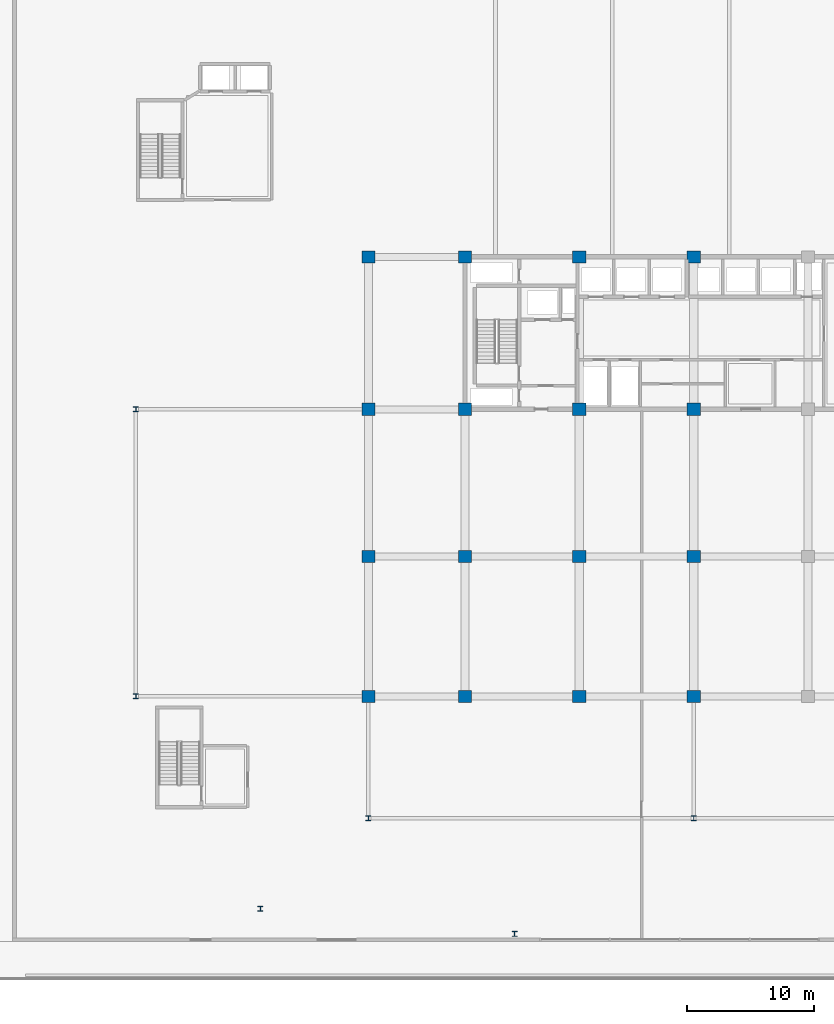
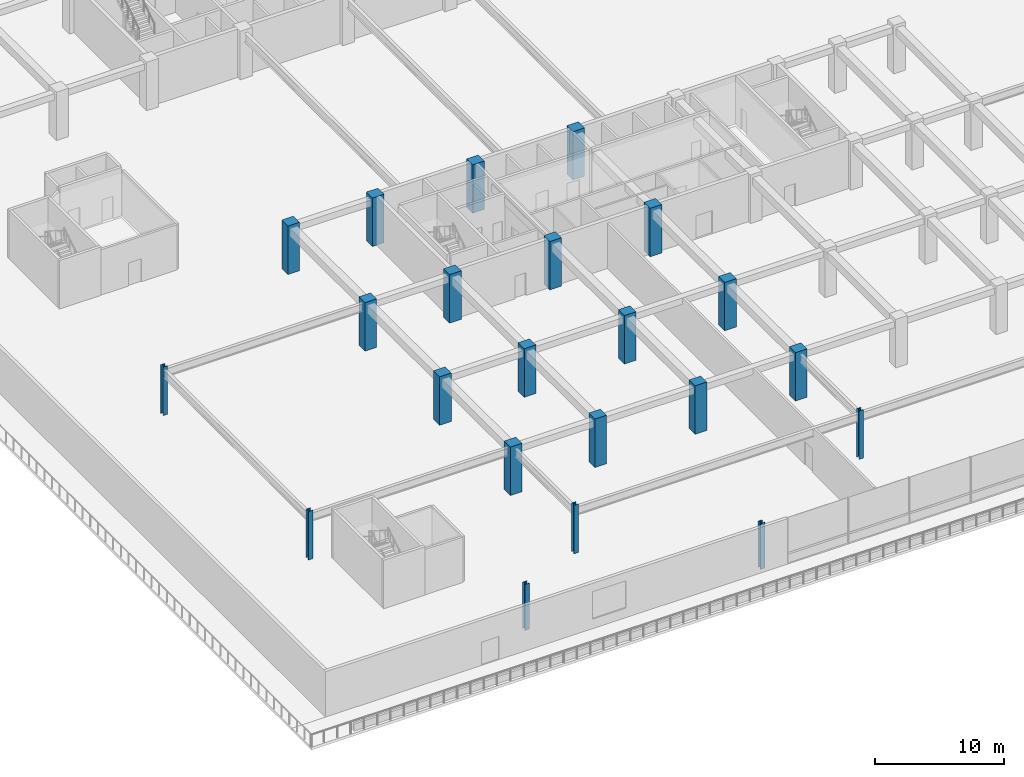
# One storey, part 1 of 45: 22 columns.
"""IFC4 building model written with IfcOpenShell, lengths in metres."""

from ifc_helpers import new_model, si_unit, direction, frame, origin, origin_2d, place, context, subcontext, project, spatial, rectangle, i_section, extrude, material, material_profile, profile_set, type_object, element, save


model = new_model("IFC4")

# Units and contexts
model_context = context("Model", 3, precision=1e-05, world=origin(), true_north=direction((0.0, 1.0)))
body_context = subcontext(model_context, "Body", "Model", "MODEL_VIEW")
ifc_project = project(units=[si_unit("LENGTHUNIT", "METRE"), si_unit("AREAUNIT", "SQUARE_METRE"), si_unit("VOLUMEUNIT", "CUBIC_METRE"), si_unit("PLANEANGLEUNIT", "RADIAN"), si_unit("MASSUNIT", "GRAM", prefix="KILO")], contexts=[model_context])

# Site, building, storey
site_placement = place(None, origin())
site = spatial("IfcSite", under=ifc_project, at=site_placement, CompositionType="ELEMENT")
building_placement = place(site_placement, origin())
building = spatial("IfcBuilding", under=site, at=building_placement, Name="Korimba Cascade Residences", CompositionType="ELEMENT")
storey_placement = place(building_placement, frame((0.0, 0.0, 5.39990234375)))
storey = spatial("IfcBuildingStorey", under=building, at=storey_placement, Name="L01", CompositionType="ELEMENT", Elevation=5.39990234375)

# Columns
ifc_material_1 = material(Name="Concrete C80/95", Category="concrete")
ifc_material_profile_1 = material_profile(ifc_material_1, rectangle(XDim=1.050048828125, YDim=0.949951171875, at=origin_2d()), Name="Concrete C80/95")
ifc_profile_set_1 = profile_set([ifc_material_profile_1], Name="Concrete C80/95")
column_type_1 = type_object("IfcColumnType", Name="COL-RC-1050", PredefinedType="COLUMN", material=ifc_profile_set_1)
for number, where, z_axis, x_axis, name in (
    (1, (74.5, -4.199951171875, 0.0), (0.0, 0.0, 1.0), (1.0, 0.0, 0.0), "L01 Tower 2 Column 1.1"),
    (2, (74.5, 6.800048828125, 0.0), (0.0, 0.0, 1.0), (1.0, 0.0, 0.0), "L01 Tower 2 Column 1.2"),
    (3, (74.5, 18.39990234375, 0.0), (0.0, 0.0, 1.0), (1.0, 0.0, 0.0), "L01 Tower 2 Column 1.3"),
    (4, (74.5, 30.39990234375, 0.0), (0.0, 0.0, 1.0), (1.0, 0.0, 0.0), "L01 Tower 2 Column 1.4"),
    (5, (82.10009765625, -4.199951171875, 0.0), (0.0, 0.0, 1.0), (1.0, 0.0, 0.0), "L01 Tower 2 Column 2.1"),
    (6, (82.10009765625, 6.800048828125, 0.0), (0.0, 0.0, 1.0), (1.0, 0.0, 0.0), "L01 Tower 2 Column 2.2"),
    (7, (82.10009765625, 18.39990234375, 0.0), (0.0, 0.0, 1.0), (1.0, 0.0, 0.0), "L01 Tower 2 Column 2.3"),
    (8, (82.10009765625, 30.39990234375, 0.0), (0.0, 0.0, 1.0), (1.0, 0.0, 0.0), "L01 Tower 2 Column 2.4"),
    (9, (91.10009765625, -4.199951171875, 0.0), (0.0, 0.0, 1.0), (1.0, 0.0, 0.0), "L01 Tower 2 Column 3.1"),
    (10, (91.10009765625, 6.800048828125, 0.0), (0.0, 0.0, 1.0), (1.0, 0.0, 0.0), "L01 Tower 2 Column 3.2"),
    (11, (91.10009765625, 18.39990234375, 0.0), (0.0, 0.0, 1.0), (1.0, 0.0, 0.0), "L01 Tower 2 Column 3.3"),
    (12, (91.10009765625, 30.39990234375, 0.0), (0.0, 0.0, 1.0), (1.0, 0.0, 0.0), "L01 Tower 2 Column 3.4"),
    (13, (100.10009765625, -4.199951171875, 0.0), (0.0, 0.0, 1.0), (1.0, 0.0, 0.0), "L01 Tower 2 Column 4.1"),
    (14, (100.10009765625, 6.800048828125, 0.0), (0.0, 0.0, 1.0), (1.0, 0.0, 0.0), "L01 Tower 2 Column 4.2"),
    (15, (100.10009765625, 18.39990234375, 0.0), (0.0, 0.0, 1.0), (1.0, 0.0, 0.0), "L01 Tower 2 Column 4.3"),
    (16, (100.10009765625, 30.39990234375, 0.0), (0.0, 0.0, 1.0), (1.0, 0.0, 0.0), "L01 Tower 2 Column 4.4"),
):
    element("IfcColumn", number, at=place(storey_placement, frame(where, z_axis=z_axis, x_axis=x_axis)), inside=storey, type_object=column_type_1, Name=name, PredefinedType="COLUMN", context=body_context, shape_type="SweptSolid", body=[
        extrude(rectangle(XDim=1.050048828125, YDim=0.949951171875, at=origin_2d()), origin(), (0.0, 0.0, 1.0), 4.60009765625),
    ])
ifc_material_2 = material(Name="Steel S355", Category="steel")
ifc_material_profile_2 = material_profile(ifc_material_2, i_section(OverallWidth=0.39892578125, OverallDepth=0.3935546875, WebThickness=0.022705078125, FlangeThickness=0.03662109375, FilletRadius=0.01513671875, at=origin_2d()), Name="Steel S355")
ifc_profile_set_2 = profile_set([ifc_material_profile_2], Name="Steel S355")
column_type_2 = type_object("IfcColumnType", Name="COL-STL-UC287", PredefinedType="COLUMN", material=ifc_profile_set_2)
for number, where, z_axis, x_axis, name in (
    (17, (56.199951171875, -4.199951171875, 0.0), (0.0, 0.0, 1.0), (1.0, 0.0, 0.0), "L01 Podium Column PCW1"),
    (18, (56.199951171875, 18.39990234375, 0.0), (0.0, 0.0, 1.0), (1.0, 0.0, 0.0), "L01 Podium Column PCW2"),
    (19, (74.5, -13.800048828125, 0.0), (0.0, 0.0, 1.0), (1.0, 0.0, 0.0), "L01 Podium Column PCS1"),
    (20, (100.10009765625, -13.800048828125, 0.0), (0.0, 0.0, 1.0), (1.0, 0.0, 0.0), "L01 Podium Column PCS2"),
):
    element("IfcColumn", number, at=place(storey_placement, frame(where, z_axis=z_axis, x_axis=x_axis)), inside=storey, type_object=column_type_2, Name=name, PredefinedType="COLUMN", context=body_context, shape_type="SweptSolid", body=[
        extrude(i_section(OverallWidth=0.39892578125, OverallDepth=0.3935546875, WebThickness=0.022705078125, FlangeThickness=0.03662109375, FilletRadius=0.01513671875, at=origin_2d()), origin(), (0.0, 0.0, 1.0), 4.60009765625),
    ])
for number, where, z_axis, x_axis, name in (
    (21, (86.0, -22.89990234375, 0.0), (0.0, 0.0, 1.0), (1.0, 0.0, 0.0), "L01 Podium Column PTS1"),
    (22, (66.0, -20.89990234375, 0.0), (0.0, 0.0, 1.0), (1.0, 0.0, 0.0), "L01 Podium Column PTS3"),
):
    element("IfcColumn", number, at=place(storey_placement, frame(where, z_axis=z_axis, x_axis=x_axis)), inside=storey, type_object=column_type_2, Name=name, PredefinedType="COLUMN", context=body_context, shape_type="SweptSolid", body=[
        extrude(i_section(OverallWidth=0.39892578125, OverallDepth=0.3935546875, WebThickness=0.022705078125, FlangeThickness=0.03662109375, FilletRadius=0.01513671875, at=origin_2d()), origin(), (0.0, 0.0, 1.0), 4.360107421875),
    ])

save(model, "model.ifc")
